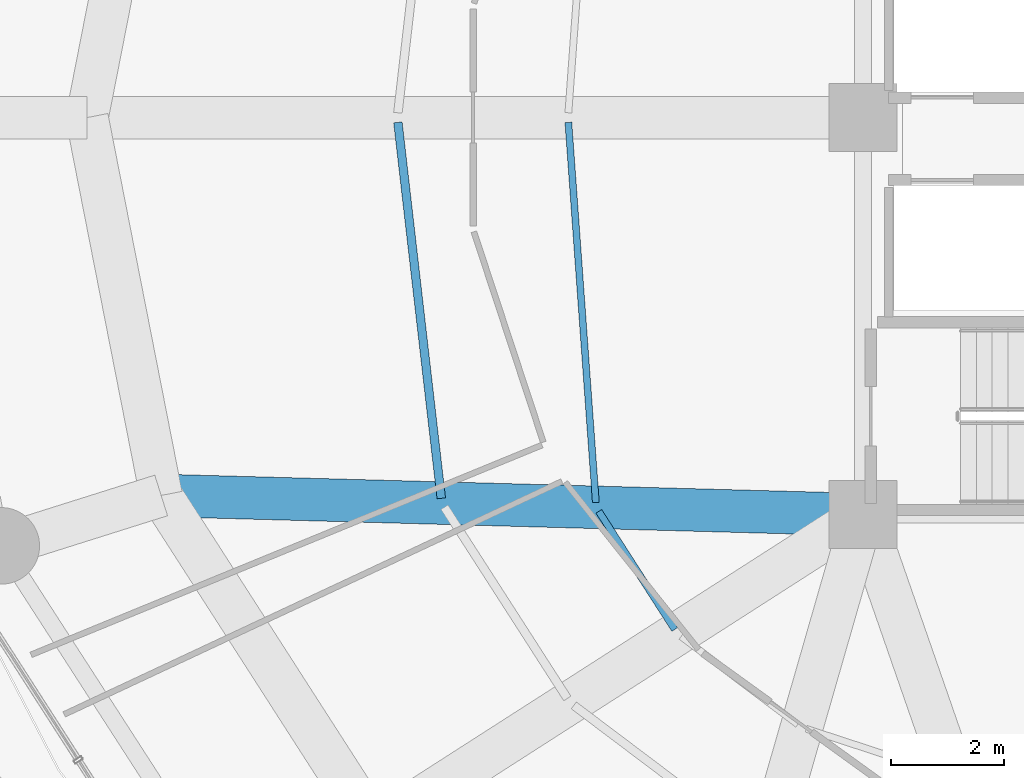
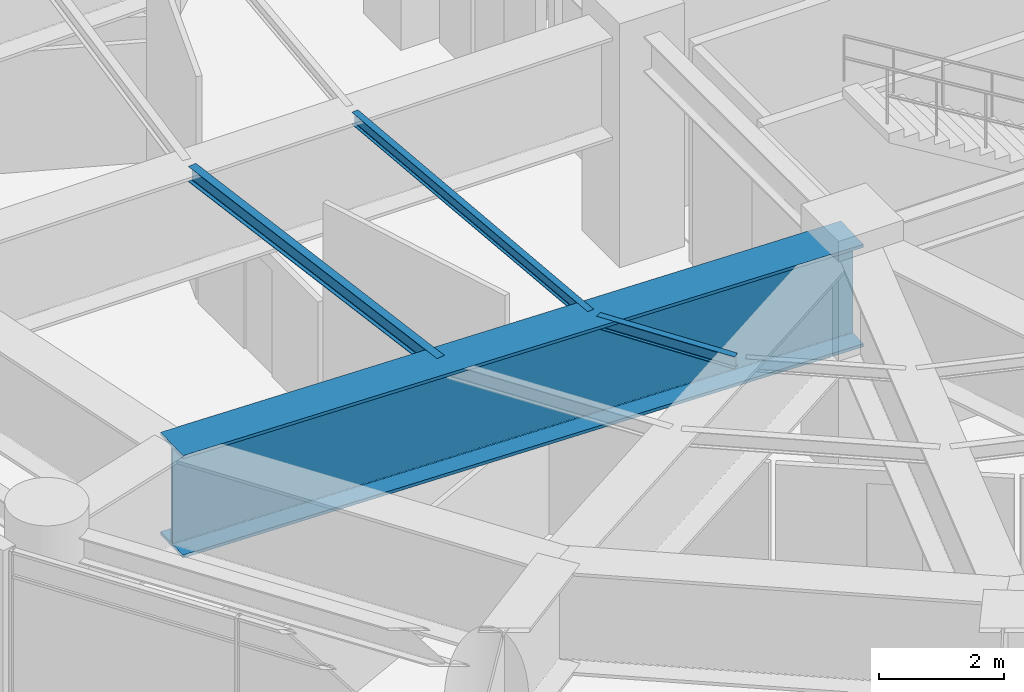
# One storey, part 7 of 34: 4 beams.
"""IFC4 building model written with IfcOpenShell, lengths in metres."""

from ifc_helpers import new_model, si_unit, direction, frame, origin, origin_2d, place, context, subcontext, project, spatial, i_section, extrude, material, material_profile, profile_set, type_object, element, save


model = new_model("IFC4")

# Units and contexts
model_context = context("Model", 3, precision=1e-05, world=origin(), true_north=direction((0.0, 1.0)))
body_context = subcontext(model_context, "Body", "Model", "MODEL_VIEW")
ifc_project = project(units=[si_unit("LENGTHUNIT", "METRE"), si_unit("AREAUNIT", "SQUARE_METRE"), si_unit("VOLUMEUNIT", "CUBIC_METRE"), si_unit("PLANEANGLEUNIT", "RADIAN"), si_unit("MASSUNIT", "GRAM", prefix="KILO")], contexts=[model_context])

# Site, building, storey
site_placement = place(None, origin())
site = spatial("IfcSite", under=ifc_project, at=site_placement, CompositionType="ELEMENT")
building_placement = place(site_placement, origin())
building = spatial("IfcBuilding", under=site, at=building_placement, Name="Kelanora Arch Commons", CompositionType="ELEMENT")
storey_placement = place(building_placement, frame((0.0, 0.0, 125.10009765625)))
storey = spatial("IfcBuildingStorey", under=building, at=storey_placement, Name="L32", CompositionType="ELEMENT", Elevation=125.10009765625)

# Beams
ifc_material = material(Name="Steel S355", Category="steel")
ifc_material_profile_1 = material_profile(ifc_material, i_section(OverallWidth=0.14990234375, OverallDepth=0.300048828125, WebThickness=0.007080078125, FlangeThickness=0.0107421875, FilletRadius=0.014892578125, at=origin_2d()), Name="IPE300")
ifc_profile_set_1 = profile_set([ifc_material_profile_1], Name="Steel S355")
beam_type_1 = type_object("IfcBeamType", Name="BM-JST-01", PredefinedType="JOIST", material=ifc_profile_set_1)
beam_1_placement = place(storey_placement, frame((57.8017578125, 57.91552734375, 4.2099609375), z_axis=(0.114667159005, -0.9934039675, 0.0), x_axis=(0.9934039675, 0.114667159005, 0.0)))
element("IfcBeam", 1, at=beam_1_placement, inside=storey, type_object=beam_type_1, Name="Secondary Chord Joist BJB-18 L32", PredefinedType="JOIST", context=body_context, shape_type="SweptSolid", body=[
    extrude(i_section(OverallWidth=0.14990234375, OverallDepth=0.300048828125, WebThickness=0.007080078125, FlangeThickness=0.0107421875, FilletRadius=0.014892578125, at=origin_2d()), origin(), (0.0, 0.0, 1.0), 6.672607421875),
])
ifc_material_profile_2 = material_profile(ifc_material, i_section(OverallWidth=0.1201171875, OverallDepth=0.239990234375, WebThickness=0.006103515625, FlangeThickness=0.009765625, FilletRadius=0.014892578125, at=origin_2d()), Name="IPE240")
ifc_profile_set_2 = profile_set([ifc_material_profile_2], Name="Steel S355")
beam_type_2 = type_object("IfcBeamType", Name="BM-JST-02", PredefinedType="JOIST", material=ifc_profile_set_2)
beam_2_placement = place(storey_placement, frame((60.8076171875, 57.915283203125, 4.239990234375), z_axis=(0.072117123738, -0.997396170267, 0.0), x_axis=(0.997396170267, 0.072117123738, 0.0)))
element("IfcBeam", 2, at=beam_2_placement, inside=storey, type_object=beam_type_2, Name="Secondary Chord Joist BJA-18 L32", PredefinedType="JOIST", context=body_context, shape_type="SweptSolid", body=[
    extrude(i_section(OverallWidth=0.1201171875, OverallDepth=0.239990234375, WebThickness=0.006103515625, FlangeThickness=0.009765625, FilletRadius=0.014892578125, at=origin_2d()), origin(), (0.0, 0.0, 1.0), 6.719970703125),
])
beam_3_placement = place(storey_placement, frame((61.344482421875, 51.056640625, 4.239990234375), z_axis=(0.540583174025, -0.841290575224, 0.0), x_axis=(0.841290575224, 0.540583174025, 0.0)))
element("IfcBeam", 3, at=beam_3_placement, inside=storey, type_object=beam_type_2, Name="Secondary Chord Joist BJA-20 L32", PredefinedType="JOIST", context=body_context, shape_type="SweptSolid", body=[
    extrude(i_section(OverallWidth=0.1201171875, OverallDepth=0.239990234375, WebThickness=0.006103515625, FlangeThickness=0.009765625, FilletRadius=0.014892578125, at=origin_2d()), origin(), (0.0, 0.0, 1.0), 2.476318359375),
])
ifc_material_profile_3 = material_profile(ifc_material, i_section(OverallWidth=0.75, OverallDepth=2.0, WebThickness=0.034912109375, FlangeThickness=0.06005859375, FilletRadius=0.028076171875, at=origin_2d()), Name="PG2000x750")
ifc_profile_set_3 = profile_set([ifc_material_profile_3], Name="Steel S355")
beam_type_3 = type_object("IfcBeamType", Name="BM-XFER-SET", PredefinedType="USERDEFINED", material=ifc_profile_set_3)
beam_4_placement = place(storey_placement, frame((66.0, 51.0, 3.35986328125), z_axis=(-0.999628374924, 0.027260081577, 0.0), x_axis=(-0.027260081577, -0.999628374924, 0.0)))
element("IfcBeam", 4, at=beam_4_placement, inside=storey, type_object=beam_type_3, Name="Setback Radial Transfer Girder BRI-20 L32", ObjectType="TRANSFER_GIRDER", PredefinedType="USERDEFINED", context=body_context, shape_type="SweptSolid", body=[
    extrude(i_section(OverallWidth=0.75, OverallDepth=2.0, WebThickness=0.034912109375, FlangeThickness=0.06005859375, FilletRadius=0.028076171875, at=origin_2d()), origin(), (0.0, 0.0, 1.0), 12.377197265625),
])

save(model, "model.ifc")
